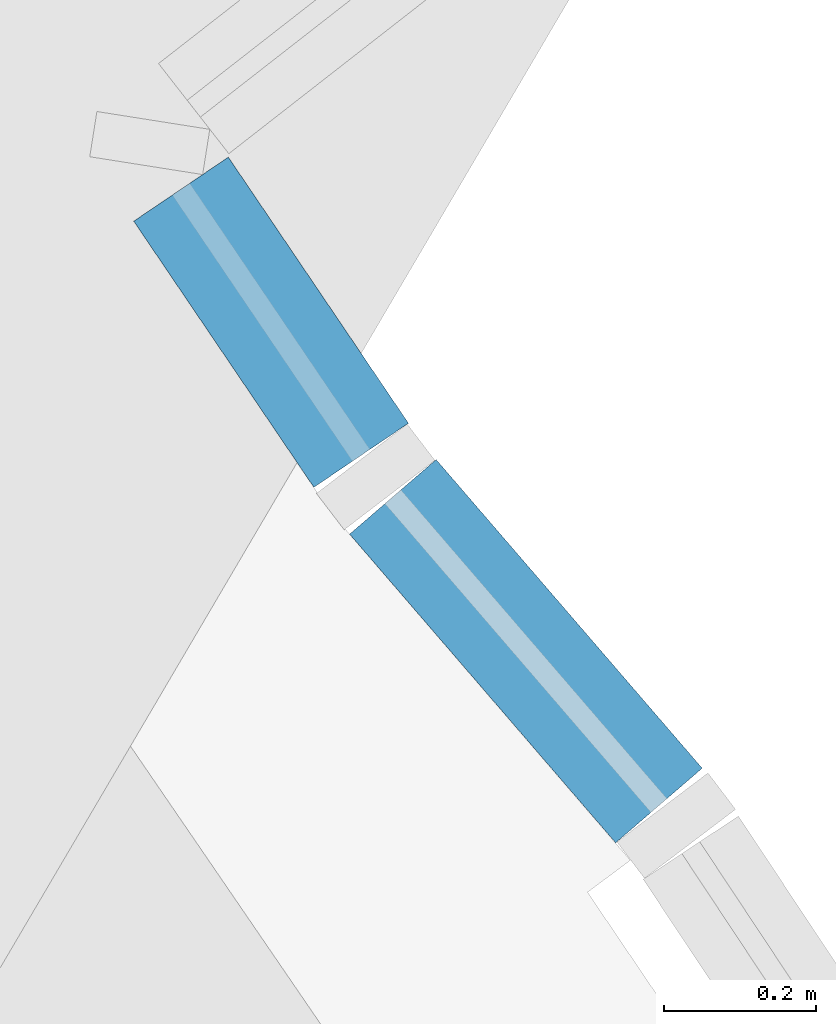
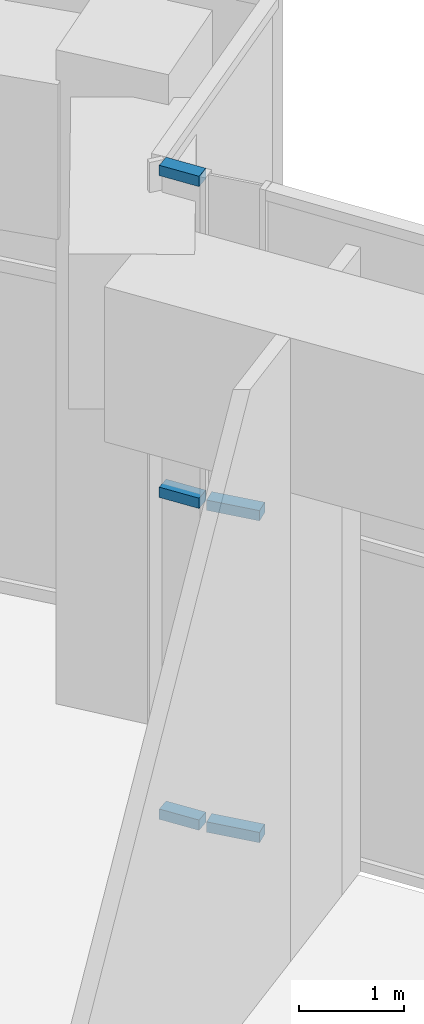
# One storey, part 14 of 30: 5 members, 2 elements without a shape of their own.
"""IFC4 building model written with IfcOpenShell, lengths in metres."""

from ifc_helpers import new_model, si_unit, direction, frame, origin, origin_2d, place, context, subcontext, project, spatial, rectangle, extrude, material, layer, layer_set, material_profile, profile_set, type_object, element, aggregate, save


model = new_model("IFC4")

# Units and contexts
model_context = context("Model", 3, precision=1e-05, world=origin(), true_north=direction((0.0, 1.0)))
body_context = subcontext(model_context, "Body", "Model", "MODEL_VIEW")
ifc_project = project(units=[si_unit("LENGTHUNIT", "METRE"), si_unit("AREAUNIT", "SQUARE_METRE"), si_unit("VOLUMEUNIT", "CUBIC_METRE"), si_unit("PLANEANGLEUNIT", "RADIAN"), si_unit("MASSUNIT", "GRAM", prefix="KILO")], contexts=[model_context])

# Site, building, storey
site_placement = place(None, origin())
site = spatial("IfcSite", under=ifc_project, at=site_placement, CompositionType="ELEMENT")
building_placement = place(site_placement, origin())
building = spatial("IfcBuilding", under=site, at=building_placement, Name="Stone Belt Terrace Tower", CompositionType="ELEMENT")
storey_placement = place(building_placement, frame((0.0, 0.0, 136.39990234375)))
storey = spatial("IfcBuildingStorey", under=building, at=storey_placement, Name="L33", CompositionType="ELEMENT", Elevation=136.39990234375)

# Curtain wall, members
ifc_material = material(Name="Aluminium 6063-T6 anodised frame", Category="aluminium")
ifc_layer = layer(ifc_material, 0.14990234375)
ifc_layer_set = layer_set([ifc_layer], Name="CW-C stick curtain wall, horn ends and notches")
curtain_wall_type = type_object("IfcCurtainWallType", Name="CW-C stick curtain wall, horn ends and notches", PredefinedType="NOTDEFINED", material=ifc_layer_set)
curtain_wall_1_placement = place(storey_placement, origin())
curtain_wall_1 = element("IfcCurtainWall", 1, at=curtain_wall_1_placement, inside=storey, type_object=curtain_wall_type, Name="CW-C end face L33", PredefinedType="NOTDEFINED")
ifc_material_profile = material_profile(ifc_material, rectangle(XDim=0.14990234375, YDim=0.1201171875, at=origin_2d()), Name="Aluminium 6063-T6 150x120")
ifc_profile_set = profile_set([ifc_material_profile], Name="Aluminium 6063-T6 anodised frame")
member_type = type_object("IfcMemberType", Name="CW-C transom 120 x 150", PredefinedType="USERDEFINED", material=ifc_profile_set)
member_1_placement = place(storey_placement, frame((50.83642578125, 38.1728515625, 0.06005859375), z_axis=(-0.652894462256, 0.757448890128, 0.0), x_axis=(-0.757448890128, -0.652894462256, 0.0)))
member_1 = element("IfcMember", 2, at=member_1_placement, type_object=member_type, Name="CW-C transom 1.1", ObjectType="TRANSOM", PredefinedType="USERDEFINED", context=body_context, shape_type="SweptSolid", body=[
    extrude(rectangle(XDim=0.14990234375, YDim=0.1201171875, at=origin_2d()), origin(), (0.0, 0.0, 1.0), 0.53466796875),
])
member_2_placement = place(storey_placement, frame((50.83642578125, 38.1728515625, 3.800048828125), z_axis=(-0.652894462256, 0.757448890128, 0.0), x_axis=(-0.757448890128, -0.652894462256, 0.0)))
member_2 = element("IfcMember", 3, at=member_2_placement, type_object=member_type, Name="CW-C transom 1.2", ObjectType="TRANSOM", PredefinedType="USERDEFINED", context=body_context, shape_type="SweptSolid", body=[
    extrude(rectangle(XDim=0.14990234375, YDim=0.1201171875, at=origin_2d()), origin(), (0.0, 0.0, 1.0), 0.53466796875),
])
aggregate(curtain_wall_1, [member_1, member_2])

curtain_wall_2_placement = place(storey_placement, origin())
curtain_wall_2 = element("IfcCurtainWall", 4, at=curtain_wall_2_placement, inside=storey, type_object=curtain_wall_type, Name="CW-C end face L33", PredefinedType="NOTDEFINED")
member_3_placement = place(storey_placement, frame((50.44580078125, 38.63232421875, 0.06005859375), z_axis=(-0.560566411907, 0.828109472136, 0.0), x_axis=(-0.828109472136, -0.560566411907, 0.0)))
member_3 = element("IfcMember", 5, at=member_3_placement, type_object=member_type, Name="CW-C transom 1.1", ObjectType="TRANSOM", PredefinedType="USERDEFINED", context=body_context, shape_type="SweptSolid", body=[
    extrude(rectangle(XDim=0.14990234375, YDim=0.1201171875, at=origin_2d()), origin(), (0.0, 0.0, 1.0), 0.421630859375),
])
member_4_placement = place(storey_placement, frame((50.44580078125, 38.63232421875, 3.800048828125), z_axis=(-0.560566411907, 0.828109472136, 0.0), x_axis=(-0.828109472136, -0.560566411907, 0.0)))
member_4 = element("IfcMember", 6, at=member_4_placement, type_object=member_type, Name="CW-C transom 1.2", ObjectType="TRANSOM", PredefinedType="USERDEFINED", context=body_context, shape_type="SweptSolid", body=[
    extrude(rectangle(XDim=0.14990234375, YDim=0.1201171875, at=origin_2d()), origin(), (0.0, 0.0, 1.0), 0.421630859375),
])
member_5_placement = place(storey_placement, frame((50.44580078125, 38.63232421875, 7.5400390625), z_axis=(-0.560566411907, 0.828109472136, 0.0), x_axis=(-0.828109472136, -0.560566411907, 0.0)))
member_5 = element("IfcMember", 7, at=member_5_placement, type_object=member_type, Name="CW-C transom 1.3", ObjectType="TRANSOM", PredefinedType="USERDEFINED", context=body_context, shape_type="SweptSolid", body=[
    extrude(rectangle(XDim=0.14990234375, YDim=0.1201171875, at=origin_2d()), origin(), (0.0, 0.0, 1.0), 0.421630859375),
])
aggregate(curtain_wall_2, [member_3, member_4, member_5])

save(model, "model.ifc")
